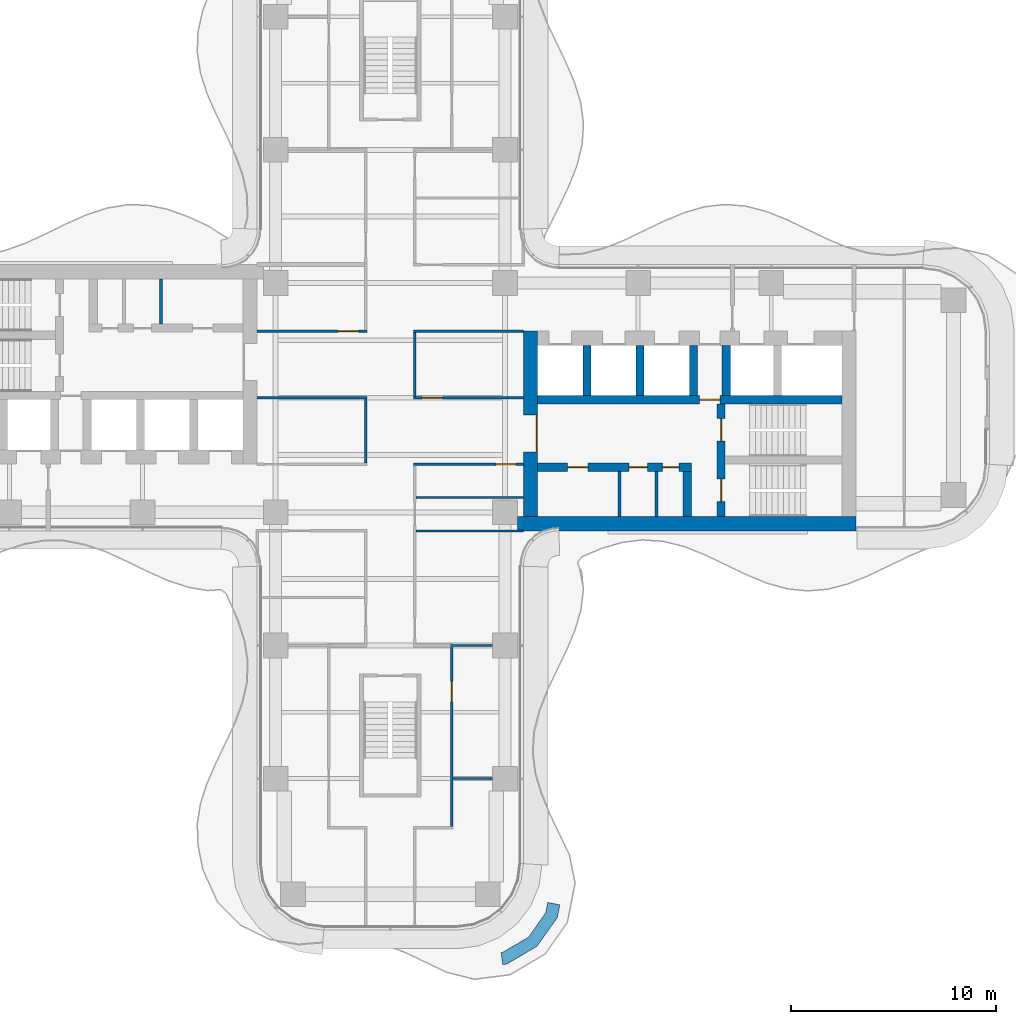
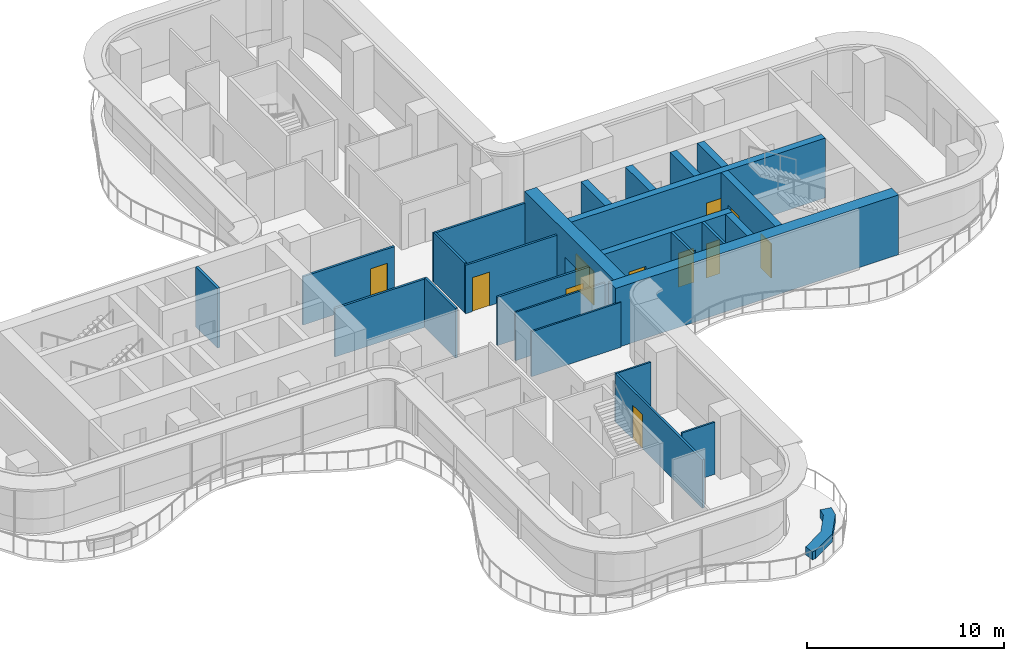
# One storey, part 13 of 17: 26 walls, 11 doors, 11 openings.
"""IFC4 building model written with IfcOpenShell, lengths in metres."""

from ifc_helpers import new_model, si_unit, direction, frame, frame_2d, origin, place, context, subcontext, project, spatial, polyline, rectangle, outline, extrude, source, transform, mapped, material, layer, layer_set, type_object, element, fill, save


model = new_model("IFC4")

# Units and contexts
model_context = context("Model", 3, precision=1e-05, world=origin(), true_north=direction((0.0, 1.0)))
body_context = subcontext(model_context, "Body", "Model", "MODEL_VIEW")
ifc_project = project(units=[si_unit("LENGTHUNIT", "METRE"), si_unit("AREAUNIT", "SQUARE_METRE"), si_unit("VOLUMEUNIT", "CUBIC_METRE"), si_unit("PLANEANGLEUNIT", "RADIAN"), si_unit("MASSUNIT", "GRAM", prefix="KILO")], contexts=[model_context])

# Site, building, storey
site_placement = place(None, origin())
site = spatial("IfcSite", under=ifc_project, at=site_placement, CompositionType="ELEMENT")
building_placement = place(site_placement, origin())
building = spatial("IfcBuilding", under=site, at=building_placement, Name="Trellis Farm Tower", CompositionType="ELEMENT")
storey_placement = place(building_placement, frame((0.0, 0.0, 181.5)))
storey = spatial("IfcBuildingStorey", under=building, at=storey_placement, Name="L39", CompositionType="ELEMENT", Elevation=181.5)

# Wall
ifc_material_1 = material(Name="Sandstone faced masonry planter", Category="masonry")
ifc_layer_1 = layer(ifc_material_1, 0.60009765625)
ifc_layer_set_1 = layer_set([ifc_layer_1], Name="PLANTER BED 600")
wall_type_1 = type_object("IfcWallType", Name="PLANTER BED 600", PredefinedType="USERDEFINED", material=ifc_layer_set_1)
wall_1_placement = place(storey_placement, origin())
element("IfcWall", 1, at=wall_1_placement, inside=storey, type_object=wall_type_1, Name="PLANTER bed", ObjectType="PLANTER", PredefinedType="USERDEFINED", context=body_context, shape_type="SweptSolid", body=[
    extrude(outline(polyline([(8.15234375, -25.393310546875), (7.1640625, -26.7919921875), (5.693603515625, -27.6552734375), (5.48583984375, -27.681396484375), (5.410888671875, -27.0859375), (5.496337890625, -27.0751953125), (6.748779296875, -26.340087890625), (7.589111328125, -25.150390625), (7.691650390625, -24.642578125), (8.27978515625, -24.76123046875), (8.15234375, -25.393310546875)])), origin(), (0.0, 0.0, 1.0), 0.5),
])

# Wall, opening, door
ifc_material_2 = material(Name="Concrete C70/85", Category="concrete")
ifc_layer_2 = layer(ifc_material_2, 0.699951171875)
ifc_layer_set_2 = layer_set([ifc_layer_2], Name="CORE OUTER WALL 700 CONCRETE C70/85")
wall_type_2 = type_object("IfcWallType", Name="CORE OUTER WALL 700 CONCRETE C70/85", PredefinedType="SHEAR", material=ifc_layer_set_2)
shared_shape_1 = source(origin(), body_context, "Body", "SweptSolid", [
    extrude(rectangle(XDim=9.050048828125, YDim=0.699951171875, at=frame_2d((4.52490234375, 0.0))), origin(), (0.0, 0.0, 1.0), 3.699951171875),
])
wall_2_placement = place(storey_placement, frame((6.85009765625, -5.800048828125, 0.0), z_axis=(0.0, 0.0, 1.0), x_axis=(0.0, 1.0, 0.0)))
wall_2 = element("IfcWall", 2, at=wall_2_placement, inside=storey, type_object=wall_type_2, Name="Core wall", PredefinedType="SHEAR", context=body_context, shape_type="MappedRepresentation", body=[
    mapped(shared_shape_1, transform((0.0, 0.0, 0.0))),
])
shared_shape_2 = source(origin(), body_context, "Body", "SweptSolid", [
    extrude(rectangle(XDim=1.800048828125, YDim=2.10009765625, at=frame_2d((0.89990234375, 1.050048828125))), frame((0.0, 0.360107421875, 0.0), z_axis=(0.0, -1.0, 0.0), x_axis=(1.0, 0.0, 0.0)), (0.0, 0.0, 1.0), 0.72021484375),
])
opening_1_placement = place(wall_2_placement, frame((3.14990234375, 0.0, 0.0)))
opening_1 = element("IfcOpeningElement", 3, at=opening_1_placement, cuts=wall_2, Name="Opening DC1", PredefinedType="OPENING", context=body_context, shape_type="MappedRepresentation", body=[
    mapped(shared_shape_2, transform((0.0, 0.0, 0.0))),
])
ifc_material_3 = material(Name="Steel", Category="steel")
door_type_1 = type_object("IfcDoorType", Name="CORE FIRE DOOR DOUBLE 1800 X 2100", OperationType="DOUBLE_DOOR_SINGLE_SWING", PredefinedType="DOOR", material=ifc_material_3)
shared_shape_3 = source(origin(), body_context, "Body", "SweptSolid", [
    extrude(rectangle(XDim=1.800048828125, YDim=2.10009765625, at=frame_2d((0.89990234375, 1.050048828125))), frame((0.0, -0.27490234375, 0.0), z_axis=(0.0, -1.0, 0.0), x_axis=(1.0, 0.0, 0.0)), (0.0, 0.0, 1.0), 0.050048828125),
])
door_1_placement = place(opening_1_placement, origin())
door_1 = element("IfcDoor", 4, at=door_1_placement, inside=storey, type_object=door_type_1, Name="Core door", OperationType="DOUBLE_DOOR_SINGLE_SWING", OverallHeight=2.10009765625, OverallWidth=1.800048828125, PredefinedType="DOOR", context=body_context, shape_type="MappedRepresentation", body=[
    mapped(shared_shape_3, transform((0.0, 0.0, 0.0))),
])
fill(opening_1, door_1)

# Walls
ifc_layer_3 = layer(ifc_material_2, 0.39990234375)
ifc_layer_set_3 = layer_set([ifc_layer_3], Name="CORE INNER WALL 400 CONCRETE C70/85")
wall_type_3 = type_object("IfcWallType", Name="CORE INNER WALL 400 CONCRETE C70/85", PredefinedType="SHEAR", material=ifc_layer_set_3)
shared_shape_4 = source(origin(), body_context, "Body", "SweptSolid", [
    extrude(rectangle(XDim=2.449951171875, YDim=0.39990234375, at=frame_2d((1.22509765625, 0.0))), origin(), (0.0, 0.0, 1.0), 3.699951171875),
])
for number, where, z_axis, x_axis, name in (
    (5, (9.60009765625, 0.10009765625, 0.0), (0.0, 0.0, 1.0), (0.0, 1.0, 0.0), "Core wall"),
    (6, (12.199951171875, 0.10009765625, 0.0), (0.0, 0.0, 1.0), (0.0, 1.0, 0.0), "Core wall"),
    (7, (14.800048828125, 0.10009765625, 0.0), (0.0, 0.0, 1.0), (0.0, 1.0, 0.0), "Core wall"),
    (8, (16.39990234375, 0.10009765625, 0.0), (0.0, 0.0, 1.0), (0.0, 1.0, 0.0), "Core wall"),
):
    element("IfcWall", number, at=place(storey_placement, frame(where, z_axis=z_axis, x_axis=x_axis)), inside=storey, type_object=wall_type_3, Name=name, PredefinedType="SHEAR", context=body_context, shape_type="MappedRepresentation", body=[
        mapped(shared_shape_4, transform((0.0, 0.0, 0.0))),
    ])
shared_shape_5 = source(origin(), body_context, "Body", "SweptSolid", [
    extrude(rectangle(XDim=16.550048828125, YDim=0.699951171875, at=frame_2d((8.27490234375, 0.0))), origin(), (0.0, 0.0, 1.0), 3.699951171875),
])
wall_3_placement = place(storey_placement, frame((6.199951171875, -6.14990234375, 0.0), z_axis=(0.0, 0.0, 1.0), x_axis=(1.0, 0.0, 0.0)))
element("IfcWall", 9, at=wall_3_placement, inside=storey, type_object=wall_type_2, Name="Core wall", PredefinedType="SHEAR", context=body_context, shape_type="MappedRepresentation", body=[
    mapped(shared_shape_5, transform((0.0, 0.0, 0.0))),
])

# Wall, openings, doors
shared_shape_6 = source(origin(), body_context, "Body", "SweptSolid", [
    extrude(rectangle(XDim=7.5, YDim=0.39990234375, at=frame_2d((3.75, 0.0))), origin(), (0.0, 0.0, 1.0), 3.699951171875),
])
wall_4_placement = place(storey_placement, frame((7.199951171875, -3.39990234375, 0.0), z_axis=(0.0, 0.0, 1.0), x_axis=(1.0, 0.0, 0.0)))
wall_4 = element("IfcWall", 10, at=wall_4_placement, inside=storey, type_object=wall_type_3, Name="Core wall", PredefinedType="SHEAR", context=body_context, shape_type="MappedRepresentation", body=[
    mapped(shared_shape_6, transform((0.0, 0.0, 0.0))),
])
shared_shape_7 = source(origin(), body_context, "Body", "SweptSolid", [
    extrude(rectangle(XDim=1.0, YDim=2.10009765625, at=frame_2d((0.5, 1.050048828125))), frame((0.0, 0.2099609375, 0.0), z_axis=(0.0, -1.0, 0.0), x_axis=(1.0, 0.0, 0.0)), (0.0, 0.0, 1.0), 0.419921875),
])
opening_2_placement = place(wall_4_placement, frame((1.46240234375, 0.0, 0.0)))
opening_2 = element("IfcOpeningElement", 11, at=opening_2_placement, cuts=wall_4, Name="Opening DC55", PredefinedType="OPENING", context=body_context, shape_type="MappedRepresentation", body=[
    mapped(shared_shape_7, transform((0.0, 0.0, 0.0))),
])
shared_shape_8 = source(origin(), body_context, "Body", "SweptSolid", [
    extrude(rectangle(XDim=0.89990234375, YDim=2.10009765625, at=frame_2d((0.449951171875, 1.050048828125))), frame((0.0, 0.2099609375, 0.0), z_axis=(0.0, -1.0, 0.0), x_axis=(1.0, 0.0, 0.0)), (0.0, 0.0, 1.0), 0.419921875),
])
opening_3_placement = place(wall_4_placement, frame((4.449951171875, 0.0, 0.0)))
opening_3 = element("IfcOpeningElement", 12, at=opening_3_placement, cuts=wall_4, Name="Opening DC60", PredefinedType="OPENING", context=body_context, shape_type="MappedRepresentation", body=[
    mapped(shared_shape_8, transform((0.0, 0.0, 0.0))),
])
shared_shape_9 = source(origin(), body_context, "Body", "SweptSolid", [
    extrude(rectangle(XDim=0.800048828125, YDim=2.10009765625, at=frame_2d((0.39990234375, 1.050048828125))), frame((0.0, 0.2099609375, 0.0), z_axis=(0.0, -1.0, 0.0), x_axis=(1.0, 0.0, 0.0)), (0.0, 0.0, 1.0), 0.419921875),
])
opening_4_placement = place(wall_4_placement, frame((6.08740234375, 0.0, 0.0)))
opening_4 = element("IfcOpeningElement", 13, at=opening_4_placement, cuts=wall_4, Name="Opening DC63", PredefinedType="OPENING", context=body_context, shape_type="MappedRepresentation", body=[
    mapped(shared_shape_9, transform((0.0, 0.0, 0.0))),
])
door_type_2 = type_object("IfcDoorType", Name="CORE FIRE DOOR 1000 X 2100", OperationType="NOTDEFINED", PredefinedType="DOOR", material=ifc_material_3)
shared_shape_10 = source(origin(), body_context, "Body", "SweptSolid", [
    extrude(rectangle(XDim=1.0, YDim=2.10009765625, at=frame_2d((0.5, 1.050048828125))), frame((0.0, 0.02490234375, 0.0), z_axis=(0.0, -1.0, 0.0), x_axis=(1.0, 0.0, 0.0)), (0.0, 0.0, 1.0), 0.050048828125),
])
door_2_placement = place(opening_2_placement, origin())
door_2 = element("IfcDoor", 14, at=door_2_placement, inside=storey, type_object=door_type_2, Name="Core door", OperationType="SINGLE_SWING_LEFT", OverallHeight=2.10009765625, OverallWidth=1.0, PredefinedType="DOOR", context=body_context, shape_type="MappedRepresentation", body=[
    mapped(shared_shape_10, transform((0.0, 0.0, 0.0))),
])
fill(opening_2, door_2)
door_type_3 = type_object("IfcDoorType", Name="CORE FIRE DOOR 900 X 2100", OperationType="NOTDEFINED", PredefinedType="DOOR", material=ifc_material_3)
shared_shape_11 = source(origin(), body_context, "Body", "SweptSolid", [
    extrude(rectangle(XDim=0.89990234375, YDim=2.10009765625, at=frame_2d((0.449951171875, 1.050048828125))), frame((0.0, 0.02490234375, 0.0), z_axis=(0.0, -1.0, 0.0), x_axis=(1.0, 0.0, 0.0)), (0.0, 0.0, 1.0), 0.050048828125),
])
door_3_placement = place(opening_3_placement, origin())
door_3 = element("IfcDoor", 15, at=door_3_placement, inside=storey, type_object=door_type_3, Name="Core door", OperationType="SINGLE_SWING_RIGHT", OverallHeight=2.10009765625, OverallWidth=0.89990234375, PredefinedType="DOOR", context=body_context, shape_type="MappedRepresentation", body=[
    mapped(shared_shape_11, transform((0.0, 0.0, 0.0))),
])
fill(opening_3, door_3)
door_type_4 = type_object("IfcDoorType", Name="CORE FIRE DOOR 800 X 2100", OperationType="NOTDEFINED", PredefinedType="DOOR", material=ifc_material_3)
shared_shape_12 = source(origin(), body_context, "Body", "SweptSolid", [
    extrude(rectangle(XDim=0.800048828125, YDim=2.10009765625, at=frame_2d((0.39990234375, 1.050048828125))), frame((0.0, 0.02490234375, 0.0), z_axis=(0.0, -1.0, 0.0), x_axis=(1.0, 0.0, 0.0)), (0.0, 0.0, 1.0), 0.050048828125),
])
door_4_placement = place(opening_4_placement, origin())
door_4 = element("IfcDoor", 16, at=door_4_placement, inside=storey, type_object=door_type_4, Name="Core door", OperationType="SINGLE_SWING_LEFT", OverallHeight=2.10009765625, OverallWidth=0.800048828125, PredefinedType="DOOR", context=body_context, shape_type="MappedRepresentation", body=[
    mapped(shared_shape_12, transform((0.0, 0.0, 0.0))),
])
fill(opening_4, door_4)

# Wall, opening, door
shared_shape_13 = source(origin(), body_context, "Body", "SweptSolid", [
    extrude(rectangle(XDim=14.85009765625, YDim=0.39990234375, at=frame_2d((7.425048828125, 0.0))), origin(), (0.0, 0.0, 1.0), 3.699951171875),
])
wall_5_placement = place(storey_placement, frame((7.199951171875, -0.10009765625, 0.0), z_axis=(0.0, 0.0, 1.0), x_axis=(1.0, 0.0, 0.0)))
wall_5 = element("IfcWall", 17, at=wall_5_placement, inside=storey, type_object=wall_type_3, Name="Core wall", PredefinedType="SHEAR", context=body_context, shape_type="MappedRepresentation", body=[
    mapped(shared_shape_13, transform((0.0, 0.0, 0.0))),
])
opening_5_placement = place(wall_5_placement, frame((7.89990234375, 0.0, 0.0)))
opening_5 = element("IfcOpeningElement", 18, at=opening_5_placement, cuts=wall_5, Name="Opening DC5", PredefinedType="OPENING", context=body_context, shape_type="MappedRepresentation", body=[
    mapped(shared_shape_7, transform((0.0, 0.0, 0.0))),
])
door_5_placement = place(opening_5_placement, origin())
door_5 = element("IfcDoor", 19, at=door_5_placement, inside=storey, type_object=door_type_2, Name="Core door", OperationType="SINGLE_SWING_RIGHT", OverallHeight=2.10009765625, OverallWidth=1.0, PredefinedType="DOOR", context=body_context, shape_type="MappedRepresentation", body=[
    mapped(shared_shape_10, transform((0.0, 0.0, 0.0))),
])
fill(opening_5, door_5)

# Wall, openings, doors
shared_shape_14 = source(origin(), body_context, "Body", "SweptSolid", [
    extrude(rectangle(XDim=5.5, YDim=0.39990234375, at=frame_2d((2.75, 0.0))), origin(), (0.0, 0.0, 1.0), 3.699951171875),
])
wall_6_placement = place(storey_placement, frame((16.14990234375, -5.800048828125, 0.0), z_axis=(0.0, 0.0, 1.0), x_axis=(0.0, 1.0, 0.0)))
wall_6 = element("IfcWall", 20, at=wall_6_placement, inside=storey, type_object=wall_type_3, Name="Core wall", PredefinedType="SHEAR", context=body_context, shape_type="MappedRepresentation", body=[
    mapped(shared_shape_14, transform((0.0, 0.0, 0.0))),
])
shared_shape_15 = source(origin(), body_context, "Body", "SweptSolid", [
    extrude(rectangle(XDim=1.10009765625, YDim=2.10009765625, at=frame_2d((0.550048828125, 1.050048828125))), frame((0.0, 0.2099609375, 0.0), z_axis=(0.0, -1.0, 0.0), x_axis=(1.0, 0.0, 0.0)), (0.0, 0.0, 1.0), 0.419921875),
])
opening_6_placement = place(wall_6_placement, frame((0.72509765625, 0.0, 0.0)))
opening_6 = element("IfcOpeningElement", 21, at=opening_6_placement, cuts=wall_6, Name="Opening DC2", PredefinedType="OPENING", context=body_context, shape_type="MappedRepresentation", body=[
    mapped(shared_shape_15, transform((0.0, 0.0, 0.0))),
])
opening_7_placement = place(wall_6_placement, frame((3.675048828125, 0.0, 0.0)))
opening_7 = element("IfcOpeningElement", 22, at=opening_7_placement, cuts=wall_6, Name="Opening DC3", PredefinedType="OPENING", context=body_context, shape_type="MappedRepresentation", body=[
    mapped(shared_shape_15, transform((0.0, 0.0, 0.0))),
])
door_type_5 = type_object("IfcDoorType", Name="CORE FIRE DOOR 1100 X 2100", OperationType="NOTDEFINED", PredefinedType="DOOR", material=ifc_material_3)
shared_shape_16 = source(origin(), body_context, "Body", "SweptSolid", [
    extrude(rectangle(XDim=1.10009765625, YDim=2.10009765625, at=frame_2d((0.550048828125, 1.050048828125))), frame((0.0, 0.02490234375, 0.0), z_axis=(0.0, -1.0, 0.0), x_axis=(1.0, 0.0, 0.0)), (0.0, 0.0, 1.0), 0.050048828125),
])
door_6_placement = place(opening_6_placement, origin())
door_6 = element("IfcDoor", 23, at=door_6_placement, inside=storey, type_object=door_type_5, Name="Core door", OperationType="SINGLE_SWING_RIGHT", OverallHeight=2.10009765625, OverallWidth=1.10009765625, PredefinedType="DOOR", context=body_context, shape_type="MappedRepresentation", body=[
    mapped(shared_shape_16, transform((0.0, 0.0, 0.0))),
])
fill(opening_6, door_6)
door_7_placement = place(opening_7_placement, origin())
door_7 = element("IfcDoor", 24, at=door_7_placement, inside=storey, type_object=door_type_5, Name="Core door", OperationType="SINGLE_SWING_LEFT", OverallHeight=2.10009765625, OverallWidth=1.10009765625, PredefinedType="DOOR", context=body_context, shape_type="MappedRepresentation", body=[
    mapped(shared_shape_16, transform((0.0, 0.0, 0.0))),
])
fill(opening_7, door_7)

# Walls
shared_shape_17 = source(origin(), body_context, "Body", "SweptSolid", [
    extrude(rectangle(XDim=2.199951171875, YDim=0.39990234375, at=frame_2d((1.10009765625, 0.0))), origin(), (0.0, 0.0, 1.0), 3.699951171875),
])
wall_7_placement = place(storey_placement, frame((14.5, -5.800048828125, 0.0), z_axis=(0.0, 0.0, 1.0), x_axis=(0.0, 1.0, 0.0)))
element("IfcWall", 25, at=wall_7_placement, inside=storey, type_object=wall_type_3, Name="Core wall", PredefinedType="SHEAR", context=body_context, shape_type="MappedRepresentation", body=[
    mapped(shared_shape_17, transform((0.0, 0.0, 0.0))),
])
ifc_material_4 = material(Name="Masonry blockwork", Category="masonry")
ifc_layer_4 = layer(ifc_material_4, 0.14990234375)
ifc_layer_set_4 = layer_set([ifc_layer_4], Name="CORE PARTITION 150 BLOCKWORK")
wall_type_4 = type_object("IfcWallType", Name="CORE PARTITION 150 BLOCKWORK", PredefinedType="PARTITIONING", material=ifc_layer_set_4)
shared_shape_18 = source(origin(), body_context, "Body", "SweptSolid", [
    extrude(rectangle(XDim=2.199951171875, YDim=0.14990234375, at=frame_2d((1.10009765625, 0.0))), origin(), (0.0, 0.0, 1.0), 3.699951171875),
])
for number, where, z_axis, x_axis, name in (
    (26, (11.199951171875, -5.800048828125, 0.0), (0.0, 0.0, 1.0), (0.0, 1.0, 0.0), "Core room partition"),
    (27, (13.0, -5.800048828125, 0.0), (0.0, 0.0, 1.0), (0.0, 1.0, 0.0), "Core room partition"),
    (28, (-11.199951171875, 5.800048828125, 0.0), (0.0, 0.0, 1.0), (0.0, -1.0, 0.0), "Core room partition"),
):
    element("IfcWall", number, at=place(storey_placement, frame(where, z_axis=z_axis, x_axis=x_axis)), inside=storey, type_object=wall_type_4, Name=name, PredefinedType="PARTITIONING", context=body_context, shape_type="MappedRepresentation", body=[
        mapped(shared_shape_18, transform((0.0, 0.0, 0.0))),
    ])
ifc_material_5 = material(Name="Plasterboard on steel studs, mineral wool", Category="steel")
ifc_layer_5 = layer(ifc_material_5, 0.125)
ifc_layer_set_5 = layer_set([ifc_layer_5], Name="PARTITION 125 STUD EI 60")
wall_type_5 = type_object("IfcWallType", Name="PARTITION 125 STUD EI 60", PredefinedType="PARTITIONING", material=ifc_layer_set_5)
shared_shape_19 = source(origin(), body_context, "Body", "SweptSolid", [
    extrude(rectangle(XDim=3.125, YDim=0.125, at=frame_2d((1.5625, 0.0))), origin(), (0.0, 0.0, 1.0), 3.06787109375),
])
for number, where, z_axis, x_axis, name in (
    (29, (-1.199951171875, -0.0625, 0.0), (0.0, 0.0, 1.0), (0.0, -1.0, 0.0), "Partition PW1"),
    (30, (1.199951171875, 3.1875, 0.0), (0.0, 0.0, 1.0), (0.0, -1.0, 0.0), "Partition PW1"),
):
    element("IfcWall", number, at=place(storey_placement, frame(where, z_axis=z_axis, x_axis=x_axis)), inside=storey, type_object=wall_type_5, Name=name, PredefinedType="PARTITIONING", context=body_context, shape_type="MappedRepresentation", body=[
        mapped(shared_shape_19, transform((0.0, 0.0, 0.0))),
    ])

# Wall, opening, door
shared_shape_20 = source(origin(), body_context, "Body", "SweptSolid", [
    extrude(rectangle(XDim=5.362548828125, YDim=0.125, at=frame_2d((2.68115234375, 0.0))), origin(), (0.0, 0.0, 1.0), 2.99658203125),
])
wall_8_placement = place(storey_placement, frame((6.5, -3.25, 0.0), z_axis=(0.0, 0.0, 1.0), x_axis=(-1.0, 0.0, 0.0)))
wall_8 = element("IfcWall", 31, at=wall_8_placement, inside=storey, type_object=wall_type_5, Name="Partition PW1", PredefinedType="PARTITIONING", context=body_context, shape_type="MappedRepresentation", body=[
    mapped(shared_shape_20, transform((0.0, 0.0, 0.0))),
])
shared_shape_21 = source(origin(), body_context, "Body", "SweptSolid", [
    extrude(rectangle(XDim=1.0, YDim=2.10009765625, at=frame_2d((0.5, 1.050048828125))), frame((0.0, 0.072509765625, 0.0), z_axis=(0.0, -1.0, 0.0), x_axis=(1.0, 0.0, 0.0)), (0.0, 0.0, 1.0), 0.14501953125),
])
opening_8_placement = place(wall_8_placement, frame((0.35009765625, 0.0, 0.0)))
opening_8 = element("IfcOpeningElement", 32, at=opening_8_placement, cuts=wall_8, Name="Opening D110", PredefinedType="OPENING", context=body_context, shape_type="MappedRepresentation", body=[
    mapped(shared_shape_21, transform((0.0, 0.0, 0.0))),
])
ifc_material_6 = material(Name="Fire-rated timber door leaf in a hollow metal frame", Category="wood")
door_type_6 = type_object("IfcDoorType", Name="DOOR 1000x2100 FD30S", OperationType="NOTDEFINED", PredefinedType="DOOR", material=ifc_material_6)
door_8_placement = place(opening_8_placement, origin())
door_8 = element("IfcDoor", 33, at=door_8_placement, inside=storey, type_object=door_type_6, Name="Door D110", OperationType="SINGLE_SWING_LEFT", OverallHeight=2.10009765625, OverallWidth=1.0, PredefinedType="DOOR", context=body_context, shape_type="MappedRepresentation", body=[
    mapped(shared_shape_10, transform((0.0, 0.0, 0.0))),
])
fill(opening_8, door_8)

# Wall
wall_9_placement = place(storey_placement, frame((-1.137451171875, 0.0, 0.0), z_axis=(0.0, 0.0, 1.0), x_axis=(-1.0, 0.0, 0.0)))
element("IfcWall", 34, at=wall_9_placement, inside=storey, type_object=wall_type_5, Name="Partition PW1", PredefinedType="PARTITIONING", context=body_context, shape_type="MappedRepresentation", body=[
    mapped(shared_shape_20, transform((0.0, 0.0, 0.0))),
])

# Wall, opening, door
wall_10_placement = place(storey_placement, frame((6.5, 0.0, 0.0), z_axis=(0.0, 0.0, 1.0), x_axis=(-1.0, 0.0, 0.0)))
wall_10 = element("IfcWall", 35, at=wall_10_placement, inside=storey, type_object=wall_type_5, Name="Partition PW1", PredefinedType="PARTITIONING", context=body_context, shape_type="MappedRepresentation", body=[
    mapped(shared_shape_20, transform((0.0, 0.0, 0.0))),
])
opening_9_placement = place(wall_10_placement, frame((3.949951171875, 0.0, 0.0)))
opening_9 = element("IfcOpeningElement", 36, at=opening_9_placement, cuts=wall_10, Name="Opening D111", PredefinedType="OPENING", context=body_context, shape_type="MappedRepresentation", body=[
    mapped(shared_shape_21, transform((0.0, 0.0, 0.0))),
])
door_9_placement = place(opening_9_placement, origin())
door_9 = element("IfcDoor", 37, at=door_9_placement, inside=storey, type_object=door_type_6, Name="Door D111", OperationType="SINGLE_SWING_RIGHT", OverallHeight=2.10009765625, OverallWidth=1.0, PredefinedType="DOOR", context=body_context, shape_type="MappedRepresentation", body=[
    mapped(shared_shape_10, transform((0.0, 0.0, 0.0))),
])
fill(opening_9, door_9)

wall_11_placement = place(storey_placement, frame((-6.5, 3.25, 0.0), z_axis=(0.0, 0.0, 1.0), x_axis=(1.0, 0.0, 0.0)))
wall_11 = element("IfcWall", 38, at=wall_11_placement, inside=storey, type_object=wall_type_5, Name="Partition PW1", PredefinedType="PARTITIONING", context=body_context, shape_type="MappedRepresentation", body=[
    mapped(shared_shape_20, transform((0.0, 0.0, 0.0))),
])
opening_10_placement = place(wall_11_placement, frame((3.949951171875, 0.0, 0.0)))
opening_10 = element("IfcOpeningElement", 39, at=opening_10_placement, cuts=wall_11, Name="Opening D301", PredefinedType="OPENING", context=body_context, shape_type="MappedRepresentation", body=[
    mapped(shared_shape_21, transform((0.0, 0.0, 0.0))),
])
door_type_7 = type_object("IfcDoorType", Name="DOOR 1000x2100 FD60", OperationType="NOTDEFINED", PredefinedType="DOOR", material=ifc_material_6)
door_10_placement = place(opening_10_placement, origin())
door_10 = element("IfcDoor", 40, at=door_10_placement, inside=storey, type_object=door_type_7, Name="Door D301", OperationType="SINGLE_SWING_RIGHT", OverallHeight=2.10009765625, OverallWidth=1.0, PredefinedType="DOOR", context=body_context, shape_type="MappedRepresentation", body=[
    mapped(shared_shape_10, transform((0.0, 0.0, 0.0))),
])
fill(opening_10, door_10)

# Walls
wall_12_placement = place(storey_placement, frame((1.137451171875, 3.25, 0.0), z_axis=(0.0, 0.0, 1.0), x_axis=(1.0, 0.0, 0.0)))
element("IfcWall", 41, at=wall_12_placement, inside=storey, type_object=wall_type_5, Name="Partition PW1", PredefinedType="PARTITIONING", context=body_context, shape_type="MappedRepresentation", body=[
    mapped(shared_shape_20, transform((0.0, 0.0, 0.0))),
])
ifc_material_7 = material(Name="Plasterboard on steel studs", Category="steel")
ifc_layer_6 = layer(ifc_material_7, 0.10009765625)
ifc_layer_set_6 = layer_set([ifc_layer_6], Name="PARTITION 100 STUD EI 30")
wall_type_6 = type_object("IfcWallType", Name="PARTITION 100 STUD EI 30", PredefinedType="PARTITIONING", material=ifc_layer_set_6)
shared_shape_22 = source(origin(), body_context, "Body", "SweptSolid", [
    extrude(rectangle(XDim=2.0625, YDim=0.10009765625, at=frame_2d((1.03125, 0.0))), origin(), (0.0, 0.0, 1.0), 2.99658203125),
])
wall_13_placement = place(storey_placement, frame((2.9375, -12.10009765625, 0.0), z_axis=(0.0, 0.0, 1.0), x_axis=(1.0, 0.0, 0.0)))
element("IfcWall", 42, at=wall_13_placement, inside=storey, type_object=wall_type_6, Name="Partition PW2", PredefinedType="PARTITIONING", context=body_context, shape_type="MappedRepresentation", body=[
    mapped(shared_shape_22, transform((0.0, 0.0, 0.0))),
])
shared_shape_23 = source(origin(), body_context, "Body", "SweptSolid", [
    extrude(rectangle(XDim=5.237548828125, YDim=0.10009765625, at=frame_2d((2.61865234375, 0.0))), origin(), (0.0, 0.0, 1.0), 2.99658203125),
])
wall_14_placement = place(storey_placement, frame((1.262451171875, -4.875, 0.0), z_axis=(0.0, 0.0, 1.0), x_axis=(1.0, 0.0, 0.0)))
element("IfcWall", 43, at=wall_14_placement, inside=storey, type_object=wall_type_6, Name="Partition PW2", PredefinedType="PARTITIONING", context=body_context, shape_type="MappedRepresentation", body=[
    mapped(shared_shape_23, transform((0.0, 0.0, 0.0))),
])

# Wall, opening, door
shared_shape_24 = source(origin(), body_context, "Body", "SweptSolid", [
    extrude(rectangle(XDim=8.78759765625, YDim=0.125, at=frame_2d((4.393798828125, 0.0))), origin(), (0.0, 0.0, 1.0), 2.99658203125),
])
wall_15_placement = place(storey_placement, frame((3.0, -12.14990234375, 0.0), z_axis=(0.0, 0.0, 1.0), x_axis=(0.0, -1.0, 0.0)))
wall_15 = element("IfcWall", 44, at=wall_15_placement, inside=storey, type_object=wall_type_5, Name="Partition PW1", PredefinedType="PARTITIONING", context=body_context, shape_type="MappedRepresentation", body=[
    mapped(shared_shape_24, transform((0.0, 0.0, 0.0))),
])
opening_11_placement = place(wall_15_placement, frame((1.699951171875, 0.0, 0.0)))
opening_11 = element("IfcOpeningElement", 45, at=opening_11_placement, cuts=wall_15, Name="Opening D103", PredefinedType="OPENING", context=body_context, shape_type="MappedRepresentation", body=[
    mapped(shared_shape_21, transform((0.0, 0.0, 0.0))),
])
door_11_placement = place(opening_11_placement, origin())
door_11 = element("IfcDoor", 46, at=door_11_placement, inside=storey, type_object=door_type_6, Name="Door D103", OperationType="SINGLE_SWING_LEFT", OverallHeight=2.10009765625, OverallWidth=1.0, PredefinedType="DOOR", context=body_context, shape_type="MappedRepresentation", body=[
    mapped(shared_shape_10, transform((0.0, 0.0, 0.0))),
])
fill(opening_11, door_11)

# Walls
shared_shape_25 = source(origin(), body_context, "Body", "SweptSolid", [
    extrude(rectangle(XDim=1.9375, YDim=0.10009765625, at=frame_2d((0.96875, 0.0))), origin(), (0.0, 0.0, 1.0), 3.222900390625),
])
wall_16_placement = place(storey_placement, frame((3.0625, -18.60009765625, 0.0), z_axis=(0.0, 0.0, 1.0), x_axis=(1.0, 0.0, 0.0)))
element("IfcWall", 47, at=wall_16_placement, inside=storey, type_object=wall_type_6, Name="Partition PW2", PredefinedType="PARTITIONING", context=body_context, shape_type="MappedRepresentation", body=[
    mapped(shared_shape_25, transform((0.0, 0.0, 0.0))),
])
shared_shape_26 = source(origin(), body_context, "Body", "SweptSolid", [
    extrude(rectangle(XDim=5.237548828125, YDim=0.10009765625, at=frame_2d((2.61865234375, 0.0))), origin(), (0.0, 0.0, 1.0), 2.780029296875),
])
wall_17_placement = place(storey_placement, frame((1.262451171875, -6.5, 0.0), z_axis=(0.0, 0.0, 1.0), x_axis=(1.0, 0.0, 0.0)))
element("IfcWall", 48, at=wall_17_placement, inside=storey, type_object=wall_type_6, Name="Partition PW2", PredefinedType="PARTITIONING", context=body_context, shape_type="MappedRepresentation", body=[
    mapped(shared_shape_26, transform((0.0, 0.0, 0.0))),
])

save(model, "model.ifc")
